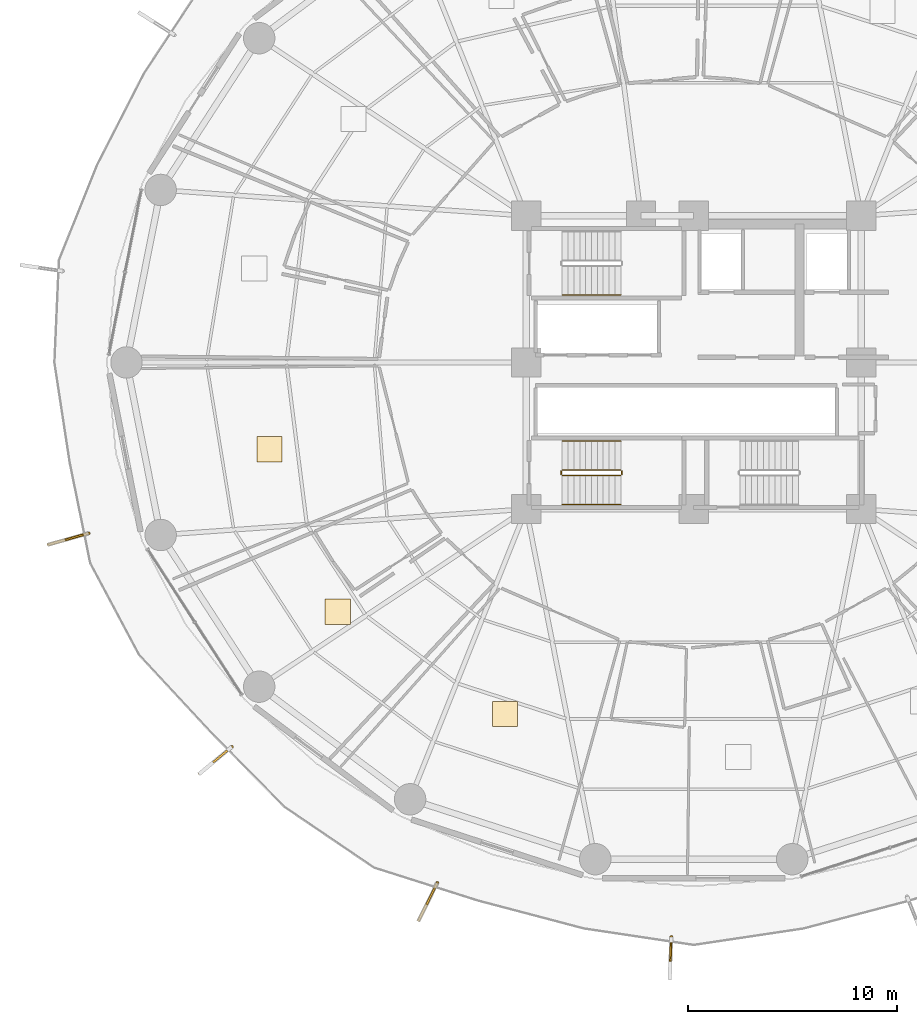
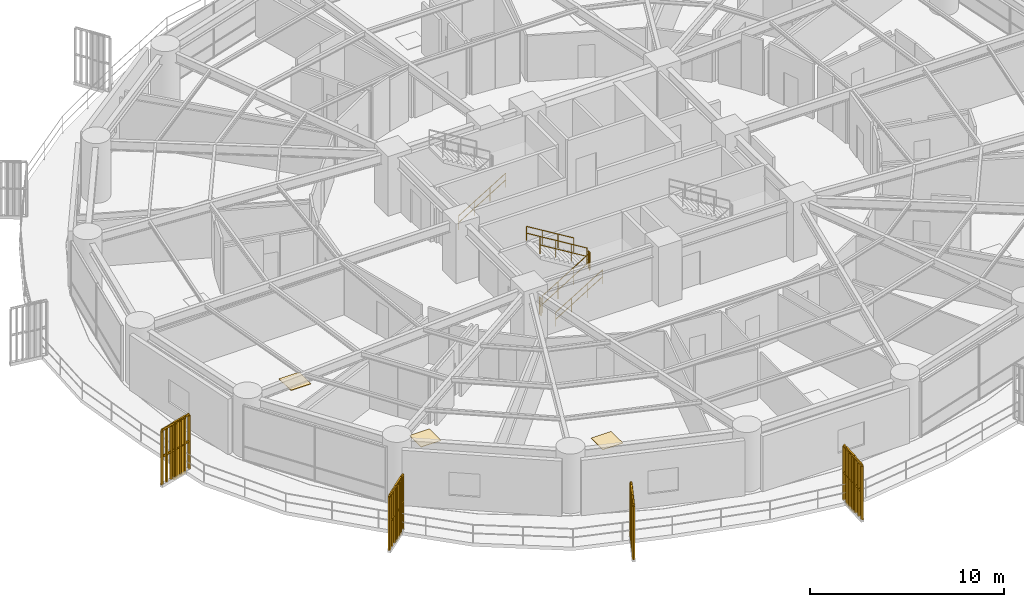
# One storey, part 30 of 33: 11 railings, 4 shading devices, 3 coverings.
"""IFC4 building model written with IfcOpenShell, lengths in metres."""

from ifc_helpers import new_model, si_unit, direction, frame, origin, origin_2d, place, context, subcontext, project, spatial, polyline, rectangle, outline, extrude, source, transform, mapped, material, layer, layer_set, type_object, element, save


model = new_model("IFC4")

# Units and contexts
model_context = context("Model", 3, precision=1e-05, world=origin(), true_north=direction((0.0, 1.0)))
body_context = subcontext(model_context, "Body", "Model", "MODEL_VIEW")
ifc_project = project(units=[si_unit("LENGTHUNIT", "METRE"), si_unit("AREAUNIT", "SQUARE_METRE"), si_unit("VOLUMEUNIT", "CUBIC_METRE"), si_unit("PLANEANGLEUNIT", "RADIAN"), si_unit("MASSUNIT", "GRAM", prefix="KILO")], contexts=[model_context])

# Site, building, storey
site_placement = place(None, origin())
site = spatial("IfcSite", under=ifc_project, at=site_placement, CompositionType="ELEMENT")
building_placement = place(site_placement, origin())
building = spatial("IfcBuilding", under=site, at=building_placement, Name="Kelanora Arch Commons", CompositionType="ELEMENT")
storey_placement = place(building_placement, frame((0.0, 0.0, 26.25)))
storey = spatial("IfcBuildingStorey", under=building, at=storey_placement, Name="L06", CompositionType="ELEMENT", Elevation=26.25)

# Railings
ifc_material_1 = material(Name="Anodised bronze vertical shading fin rib assembly")
railing_type_1 = type_object("IfcRailingType", Name="RAIL-FIN-BRZ", PredefinedType="BALUSTRADE", material=ifc_material_1)
railing_1_placement = place(storey_placement, frame((45.121337890625, 49.84716796875, -0.02001953125)))
element("IfcRailing", 1, at=railing_1_placement, inside=storey, type_object=railing_type_1, Name="Sweeping Bronze Vertical Fin Blade L06-08", PredefinedType="BALUSTRADE", context=body_context, shape_type="SweptSolid", body=[
    extrude(outline(polyline([(0.06982421875, 0.0), (0.034912109375, 0.060546875), (-0.034912109375, 0.060546875), (-0.06982421875, 0.0), (-0.034912109375, -0.060546875), (0.034912109375, -0.060546875), (0.06982421875, 0.0)])), frame((0.0, 0.0, 3.419921875), z_axis=(-0.96239301413, -0.271660976869, 0.0), x_axis=(0.271660976869, -0.96239301413, 0.0)), (0.0, 0.0, 1.0), 1.992431640625),
    extrude(outline(polyline([(0.06982421875, 0.0), (0.034912109375, 0.060546875), (-0.034912109375, 0.060546875), (-0.06982421875, 0.0), (-0.034912109375, -0.060546875), (0.034912109375, -0.060546875), (0.06982421875, 0.0)])), frame((0.0, 0.0, 1.7451171875), z_axis=(-0.96239301413, -0.271660976869, 0.0), x_axis=(0.271660976869, -0.96239301413, 0.0)), (0.0, 0.0, 1.0), 1.992431640625),
    extrude(outline(polyline([(0.080078125, 0.0), (0.0400390625, 0.0693359375), (-0.0400390625, 0.0693359375), (-0.080078125, 0.0), (-0.0400390625, -0.0693359375), (0.0400390625, -0.0693359375), (0.080078125, 0.0)])), origin(), (0.0, 0.0, 1.0), 3.35009765625),
    extrude(outline(polyline([(0.080078125, 0.0), (0.0400390625, 0.0693359375), (-0.0400390625, 0.0693359375), (-0.080078125, 0.0), (-0.0400390625, -0.0693359375), (0.0400390625, -0.0693359375), (0.080078125, 0.0)])), frame((-0.319580078125, -0.09033203125, 0.0)), (0.0, 0.0, 1.0), 3.35009765625),
    extrude(outline(polyline([(0.080078125, 0.0), (0.0400390625, 0.0693359375), (-0.0400390625, 0.0693359375), (-0.080078125, 0.0), (-0.0400390625, -0.0693359375), (0.0400390625, -0.0693359375), (0.080078125, 0.0)])), frame((-0.63916015625, -0.180419921875, 0.0)), (0.0, 0.0, 1.0), 3.35009765625),
    extrude(outline(polyline([(0.080078125, 0.0), (0.0400390625, 0.0693359375), (-0.0400390625, 0.0693359375), (-0.080078125, 0.0), (-0.0400390625, -0.0693359375), (0.0400390625, -0.0693359375), (0.080078125, 0.0)])), frame((-0.958740234375, -0.2705078125, 0.0)), (0.0, 0.0, 1.0), 3.35009765625),
    extrude(outline(polyline([(0.080078125, 0.0), (0.0400390625, 0.0693359375), (-0.0400390625, 0.0693359375), (-0.080078125, 0.0), (-0.0400390625, -0.0693359375), (0.0400390625, -0.0693359375), (0.080078125, 0.0)])), frame((-1.2783203125, -0.36083984375, 0.0)), (0.0, 0.0, 1.0), 3.35009765625),
    extrude(outline(polyline([(0.080078125, 0.0), (0.0400390625, 0.0693359375), (-0.0400390625, 0.0693359375), (-0.080078125, 0.0), (-0.0400390625, -0.0693359375), (0.0400390625, -0.0693359375), (0.080078125, 0.0)])), frame((-1.597900390625, -0.451171875, 0.0)), (0.0, 0.0, 1.0), 3.35009765625),
    extrude(outline(polyline([(0.080078125, 0.0), (0.0400390625, 0.0693359375), (-0.0400390625, 0.0693359375), (-0.080078125, 0.0), (-0.0400390625, -0.0693359375), (0.0400390625, -0.0693359375), (0.080078125, 0.0)])), frame((-1.91748046875, -0.541259765625, 0.0)), (0.0, 0.0, 1.0), 3.35009765625),
])
railing_2_placement = place(storey_placement, frame((51.9501953125, 39.651611328125, -0.02001953125)))
element("IfcRailing", 2, at=railing_2_placement, inside=storey, type_object=railing_type_1, Name="Sweeping Bronze Vertical Fin Blade L06-09", PredefinedType="BALUSTRADE", context=body_context, shape_type="SweptSolid", body=[
    extrude(outline(polyline([(0.06982421875, 0.0), (0.034912109375, 0.060546875), (-0.034912109375, 0.060546875), (-0.06982421875, 0.0), (-0.034912109375, -0.060546875), (0.034912109375, -0.060546875), (0.06982421875, 0.0)])), frame((0.0, 0.0, 3.419921875), z_axis=(-0.768673067971, -0.639641864309, 0.0), x_axis=(0.639641864309, -0.768673067971, 0.0)), (0.0, 0.0, 1.0), 1.992431640625),
    extrude(outline(polyline([(0.06982421875, 0.0), (0.034912109375, 0.060546875), (-0.034912109375, 0.060546875), (-0.06982421875, 0.0), (-0.034912109375, -0.060546875), (0.034912109375, -0.060546875), (0.06982421875, 0.0)])), frame((0.0, 0.0, 1.7451171875), z_axis=(-0.768673067971, -0.639641864309, 0.0), x_axis=(0.639641864309, -0.768673067971, 0.0)), (0.0, 0.0, 1.0), 1.992431640625),
    extrude(outline(polyline([(0.080078125, 0.0), (0.0400390625, 0.0693359375), (-0.0400390625, 0.0693359375), (-0.080078125, 0.0), (-0.0400390625, -0.0693359375), (0.0400390625, -0.0693359375), (0.080078125, 0.0)])), origin(), (0.0, 0.0, 1.0), 3.35009765625),
    extrude(outline(polyline([(0.080078125, 0.0), (0.0400390625, 0.0693359375), (-0.0400390625, 0.0693359375), (-0.080078125, 0.0), (-0.0400390625, -0.0693359375), (0.0400390625, -0.0693359375), (0.080078125, 0.0)])), frame((-0.25537109375, -0.21240234375, 0.0)), (0.0, 0.0, 1.0), 3.35009765625),
    extrude(outline(polyline([(0.080078125, 0.0), (0.0400390625, 0.0693359375), (-0.0400390625, 0.0693359375), (-0.080078125, 0.0), (-0.0400390625, -0.0693359375), (0.0400390625, -0.0693359375), (0.080078125, 0.0)])), frame((-0.510498046875, -0.4248046875, 0.0)), (0.0, 0.0, 1.0), 3.35009765625),
    extrude(outline(polyline([(0.080078125, 0.0), (0.0400390625, 0.0693359375), (-0.0400390625, 0.0693359375), (-0.080078125, 0.0), (-0.0400390625, -0.0693359375), (0.0400390625, -0.0693359375), (0.080078125, 0.0)])), frame((-0.765625, -0.63720703125, 0.0)), (0.0, 0.0, 1.0), 3.35009765625),
    extrude(outline(polyline([(0.080078125, 0.0), (0.0400390625, 0.0693359375), (-0.0400390625, 0.0693359375), (-0.080078125, 0.0), (-0.0400390625, -0.0693359375), (0.0400390625, -0.0693359375), (0.080078125, 0.0)])), frame((-1.02099609375, -0.849609375, 0.0)), (0.0, 0.0, 1.0), 3.35009765625),
    extrude(outline(polyline([(0.080078125, 0.0), (0.0400390625, 0.0693359375), (-0.0400390625, 0.0693359375), (-0.080078125, 0.0), (-0.0400390625, -0.0693359375), (0.0400390625, -0.0693359375), (0.080078125, 0.0)])), frame((-1.2763671875, -1.06201171875, 0.0)), (0.0, 0.0, 1.0), 3.35009765625),
    extrude(outline(polyline([(0.080078125, 0.0), (0.0400390625, 0.0693359375), (-0.0400390625, 0.0693359375), (-0.080078125, 0.0), (-0.0400390625, -0.0693359375), (0.0400390625, -0.0693359375), (0.080078125, 0.0)])), frame((-1.531494140625, -1.2744140625, 0.0)), (0.0, 0.0, 1.0), 3.35009765625),
])
railing_3_placement = place(storey_placement, frame((61.75830078125, 33.159912109375, -0.02001953125)))
element("IfcRailing", 3, at=railing_3_placement, inside=storey, type_object=railing_type_1, Name="Sweeping Bronze Vertical Fin Blade L06-10", PredefinedType="BALUSTRADE", context=body_context, shape_type="SweptSolid", body=[
    extrude(outline(polyline([(0.06982421875, 0.0), (0.034912109375, 0.060546875), (-0.034912109375, 0.060546875), (-0.06982421875, 0.0), (-0.034912109375, -0.060546875), (0.034912109375, -0.060546875), (0.06982421875, 0.0)])), frame((0.0, 0.0, 3.419921875), z_axis=(-0.442060259589, -0.896985354893, 0.0), x_axis=(0.896985354893, -0.442060259589, 0.0)), (0.0, 0.0, 1.0), 1.99267578125),
    extrude(outline(polyline([(0.06982421875, 0.0), (0.034912109375, 0.060546875), (-0.034912109375, 0.060546875), (-0.06982421875, 0.0), (-0.034912109375, -0.060546875), (0.034912109375, -0.060546875), (0.06982421875, 0.0)])), frame((0.0, 0.0, 1.7451171875), z_axis=(-0.442060259589, -0.896985354893, 0.0), x_axis=(0.896985354893, -0.442060259589, 0.0)), (0.0, 0.0, 1.0), 1.99267578125),
    extrude(outline(polyline([(0.080078125, 0.0), (0.0400390625, 0.0693359375), (-0.0400390625, 0.0693359375), (-0.080078125, 0.0), (-0.0400390625, -0.0693359375), (0.0400390625, -0.0693359375), (0.080078125, 0.0)])), origin(), (0.0, 0.0, 1.0), 3.35009765625),
    extrude(outline(polyline([(0.080078125, 0.0), (0.0400390625, 0.0693359375), (-0.0400390625, 0.0693359375), (-0.080078125, 0.0), (-0.0400390625, -0.0693359375), (0.0400390625, -0.0693359375), (0.080078125, 0.0)])), frame((-0.146728515625, -0.2978515625, 0.0)), (0.0, 0.0, 1.0), 3.35009765625),
    extrude(outline(polyline([(0.080078125, 0.0), (0.0400390625, 0.0693359375), (-0.0400390625, 0.0693359375), (-0.080078125, 0.0), (-0.0400390625, -0.0693359375), (0.0400390625, -0.0693359375), (0.080078125, 0.0)])), frame((-0.293701171875, -0.595703125, 0.0)), (0.0, 0.0, 1.0), 3.35009765625),
    extrude(outline(polyline([(0.080078125, 0.0), (0.0400390625, 0.0693359375), (-0.0400390625, 0.0693359375), (-0.080078125, 0.0), (-0.0400390625, -0.0693359375), (0.0400390625, -0.0693359375), (0.080078125, 0.0)])), frame((-0.4404296875, -0.8935546875, 0.0)), (0.0, 0.0, 1.0), 3.35009765625),
    extrude(outline(polyline([(0.080078125, 0.0), (0.0400390625, 0.0693359375), (-0.0400390625, 0.0693359375), (-0.080078125, 0.0), (-0.0400390625, -0.0693359375), (0.0400390625, -0.0693359375), (0.080078125, 0.0)])), frame((-0.587158203125, -1.191650390625, 0.0)), (0.0, 0.0, 1.0), 3.35009765625),
    extrude(outline(polyline([(0.080078125, 0.0), (0.0400390625, 0.0693359375), (-0.0400390625, 0.0693359375), (-0.080078125, 0.0), (-0.0400390625, -0.0693359375), (0.0400390625, -0.0693359375), (0.080078125, 0.0)])), frame((-0.734130859375, -1.489501953125, 0.0)), (0.0, 0.0, 1.0), 3.35009765625),
    extrude(outline(polyline([(0.080078125, 0.0), (0.0400390625, 0.0693359375), (-0.0400390625, 0.0693359375), (-0.080078125, 0.0), (-0.0400390625, -0.0693359375), (0.0400390625, -0.0693359375), (0.080078125, 0.0)])), frame((-0.880859375, -1.787353515625, 0.0)), (0.0, 0.0, 1.0), 3.35009765625),
])
railing_4_placement = place(storey_placement, frame((72.9296875, 30.5791015625, -0.02001953125)))
element("IfcRailing", 4, at=railing_4_placement, inside=storey, type_object=railing_type_1, Name="Sweeping Bronze Vertical Fin Blade L06-11", PredefinedType="BALUSTRADE", context=body_context, shape_type="SweptSolid", body=[
    extrude(outline(polyline([(0.06982421875, 0.0), (0.034912109375, 0.060546875), (-0.034912109375, 0.060546875), (-0.06982421875, 0.0), (-0.034912109375, -0.060546875), (0.034912109375, -0.060546875), (0.06982421875, 0.0)])), frame((0.0, 0.0, 3.419921875), z_axis=(-0.038964868768, -0.999240581142, 0.0), x_axis=(0.999240581142, -0.038964868768, 0.0)), (0.0, 0.0, 1.0), 1.992431640625),
    extrude(outline(polyline([(0.06982421875, 0.0), (0.034912109375, 0.060546875), (-0.034912109375, 0.060546875), (-0.06982421875, 0.0), (-0.034912109375, -0.060546875), (0.034912109375, -0.060546875), (0.06982421875, 0.0)])), frame((0.0, 0.0, 1.7451171875), z_axis=(-0.038964868768, -0.999240581142, 0.0), x_axis=(0.999240581142, -0.038964868768, 0.0)), (0.0, 0.0, 1.0), 1.992431640625),
    extrude(outline(polyline([(0.080078125, 0.0), (0.0400390625, 0.0693359375), (-0.0400390625, 0.0693359375), (-0.080078125, 0.0), (-0.0400390625, -0.0693359375), (0.0400390625, -0.0693359375), (0.080078125, 0.0)])), origin(), (0.0, 0.0, 1.0), 3.35009765625),
    extrude(outline(polyline([(0.080078125, 0.0), (0.0400390625, 0.0693359375), (-0.0400390625, 0.0693359375), (-0.080078125, 0.0), (-0.0400390625, -0.0693359375), (0.0400390625, -0.0693359375), (0.080078125, 0.0)])), frame((-0.012939453125, -0.331787109375, 0.0)), (0.0, 0.0, 1.0), 3.35009765625),
    extrude(outline(polyline([(0.080078125, 0.0), (0.0400390625, 0.0693359375), (-0.0400390625, 0.0693359375), (-0.080078125, 0.0), (-0.0400390625, -0.0693359375), (0.0400390625, -0.0693359375), (0.080078125, 0.0)])), frame((-0.02587890625, -0.66357421875, 0.0)), (0.0, 0.0, 1.0), 3.35009765625),
    extrude(outline(polyline([(0.080078125, 0.0), (0.0400390625, 0.0693359375), (-0.0400390625, 0.0693359375), (-0.080078125, 0.0), (-0.0400390625, -0.0693359375), (0.0400390625, -0.0693359375), (0.080078125, 0.0)])), frame((-0.038818359375, -0.99560546875, 0.0)), (0.0, 0.0, 1.0), 3.35009765625),
    extrude(outline(polyline([(0.080078125, 0.0), (0.0400390625, 0.0693359375), (-0.0400390625, 0.0693359375), (-0.080078125, 0.0), (-0.0400390625, -0.0693359375), (0.0400390625, -0.0693359375), (0.080078125, 0.0)])), frame((-0.0517578125, -1.327392578125, 0.0)), (0.0, 0.0, 1.0), 3.35009765625),
    extrude(outline(polyline([(0.080078125, 0.0), (0.0400390625, 0.0693359375), (-0.0400390625, 0.0693359375), (-0.080078125, 0.0), (-0.0400390625, -0.0693359375), (0.0400390625, -0.0693359375), (0.080078125, 0.0)])), frame((-0.064697265625, -1.6591796875, 0.0)), (0.0, 0.0, 1.0), 3.35009765625),
    extrude(outline(polyline([(0.080078125, 0.0), (0.0400390625, 0.0693359375), (-0.0400390625, 0.0693359375), (-0.080078125, 0.0), (-0.0400390625, -0.0693359375), (0.0400390625, -0.0693359375), (0.080078125, 0.0)])), frame((-0.07763671875, -1.990966796875, 0.0)), (0.0, 0.0, 1.0), 3.35009765625),
])
ifc_material_2 = material(Name="Painted steel stair well guard", Category="steel")
railing_type_2 = type_object("IfcRailingType", Name="RAIL-STAIR-GRD", PredefinedType="GUARDRAIL", material=ifc_material_2)
railing_5_placement = place(storey_placement, frame((67.719970703125, 52.610107421875, 0.17041015625)))
element("IfcRailing", 5, at=railing_5_placement, inside=storey, type_object=railing_type_2, Name="L06 ST-T3 stair guard 1", PredefinedType="GUARDRAIL", context=body_context, shape_type="SweptSolid", body=[
    extrude(outline(polyline([(0.02392578125, 0.0), (0.011962890625, 0.020751953125), (-0.011962890625, 0.020751953125), (-0.02392578125, 0.0), (-0.011962890625, -0.020751953125), (0.011962890625, -0.020751953125), (0.02392578125, 0.0)])), frame((0.0, 0.0, 1.076171875), z_axis=(0.854169791009, 0.0, 0.51999420009), x_axis=(0.0, 1.0, 0.0)), (0.0, 0.0, 1.0), 3.278076171875),
    extrude(outline(polyline([(0.02392578125, 0.0), (0.011962890625, 0.020751953125), (-0.011962890625, 0.020751953125), (-0.02392578125, 0.0), (-0.011962890625, -0.020751953125), (0.011962890625, -0.020751953125), (0.02392578125, 0.0)])), frame((0.0, 0.0, 0.550048828125), z_axis=(0.854169791009, 0.0, 0.51999420009), x_axis=(0.0, 1.0, 0.0)), (0.0, 0.0, 1.0), 3.278076171875),
    extrude(outline(polyline([(0.02099609375, 0.0), (0.010498046875, 0.01806640625), (-0.010498046875, 0.01806640625), (-0.02099609375, 0.0), (-0.010498046875, -0.01806640625), (0.010498046875, -0.01806640625), (0.02099609375, 0.0)])), origin(), (0.0, 0.0, 1.0), 1.052001953125),
    extrude(outline(polyline([(0.02099609375, 0.0), (0.010498046875, 0.01806640625), (-0.010498046875, 0.01806640625), (-0.02099609375, 0.0), (-0.010498046875, -0.01806640625), (0.010498046875, -0.01806640625), (0.02099609375, 0.0)])), frame((0.933349609375, 0.0, 0.568115234375)), (0.0, 0.0, 1.0), 1.052001953125),
    extrude(outline(polyline([(0.02099609375, 0.0), (0.010498046875, 0.01806640625), (-0.010498046875, 0.01806640625), (-0.02099609375, 0.0), (-0.010498046875, -0.01806640625), (0.010498046875, -0.01806640625), (0.02099609375, 0.0)])), frame((1.86669921875, 0.0, 1.136474609375)), (0.0, 0.0, 1.0), 1.052001953125),
    extrude(outline(polyline([(0.02099609375, 0.0), (0.010498046875, 0.01806640625), (-0.010498046875, 0.01806640625), (-0.02099609375, 0.0), (-0.010498046875, -0.01806640625), (0.010498046875, -0.01806640625), (0.02099609375, 0.0)])), frame((2.800048828125, 0.0, 1.70458984375)), (0.0, 0.0, 1.0), 1.052001953125),
])
railing_6_placement = place(storey_placement, frame((70.570068359375, 52.659912109375, 1.875)))
element("IfcRailing", 6, at=railing_6_placement, inside=storey, type_object=railing_type_2, Name="L06 ST-T3 stair guard 2", PredefinedType="GUARDRAIL", context=body_context, shape_type="SweptSolid", body=[
    extrude(outline(polyline([(0.02392578125, 0.0), (0.011962890625, 0.020751953125), (-0.011962890625, 0.020751953125), (-0.02392578125, 0.0), (-0.011962890625, -0.020751953125), (0.011962890625, -0.020751953125), (0.02392578125, 0.0)])), frame((0.0, 0.0, 1.076171875), z_axis=(0.0, 1.0, 0.0), x_axis=(-1.0, 0.0, 0.0)), (0.0, 0.0, 1.0), 0.150146484375),
    extrude(outline(polyline([(0.02392578125, 0.0), (0.011962890625, 0.020751953125), (-0.011962890625, 0.020751953125), (-0.02392578125, 0.0), (-0.011962890625, -0.020751953125), (0.011962890625, -0.020751953125), (0.02392578125, 0.0)])), frame((0.0, 0.0, 0.550048828125), z_axis=(0.0, 1.0, 0.0), x_axis=(-1.0, 0.0, 0.0)), (0.0, 0.0, 1.0), 0.150146484375),
    extrude(outline(polyline([(0.02099609375, 0.0), (0.010498046875, 0.01806640625), (-0.010498046875, 0.01806640625), (-0.02099609375, 0.0), (-0.010498046875, -0.01806640625), (0.010498046875, -0.01806640625), (0.02099609375, 0.0)])), origin(), (0.0, 0.0, 1.0), 1.052001953125),
    extrude(outline(polyline([(0.02099609375, 0.0), (0.010498046875, 0.01806640625), (-0.010498046875, 0.01806640625), (-0.02099609375, 0.0), (-0.010498046875, -0.01806640625), (0.010498046875, -0.01806640625), (0.02099609375, 0.0)])), frame((0.0, 0.150146484375, 0.0)), (0.0, 0.0, 1.0), 1.052001953125),
])
railing_7_placement = place(storey_placement, frame((70.52001953125, 52.860107421875, 2.04541015625)))
element("IfcRailing", 7, at=railing_7_placement, inside=storey, type_object=railing_type_2, Name="L06 ST-T3 stair guard 3", PredefinedType="GUARDRAIL", context=body_context, shape_type="SweptSolid", body=[
    extrude(outline(polyline([(0.02392578125, 0.0), (0.011962890625, 0.020751953125), (-0.011962890625, 0.020751953125), (-0.02392578125, 0.0), (-0.011962890625, -0.020751953125), (0.011962890625, -0.020751953125), (0.02392578125, 0.0)])), frame((0.0, 0.0, 1.076171875), z_axis=(-0.854169791009, 0.0, 0.51999420009), x_axis=(0.0, -1.0, 0.0)), (0.0, 0.0, 1.0), 3.278076171875),
    extrude(outline(polyline([(0.02392578125, 0.0), (0.011962890625, 0.020751953125), (-0.011962890625, 0.020751953125), (-0.02392578125, 0.0), (-0.011962890625, -0.020751953125), (0.011962890625, -0.020751953125), (0.02392578125, 0.0)])), frame((0.0, 0.0, 0.550048828125), z_axis=(-0.854169791009, 0.0, 0.51999420009), x_axis=(0.0, -1.0, 0.0)), (0.0, 0.0, 1.0), 3.278076171875),
    extrude(outline(polyline([(0.02099609375, 0.0), (0.010498046875, 0.01806640625), (-0.010498046875, 0.01806640625), (-0.02099609375, 0.0), (-0.010498046875, -0.01806640625), (0.010498046875, -0.01806640625), (0.02099609375, 0.0)])), origin(), (0.0, 0.0, 1.0), 1.052001953125),
    extrude(outline(polyline([(0.02099609375, 0.0), (0.010498046875, 0.01806640625), (-0.010498046875, 0.01806640625), (-0.02099609375, 0.0), (-0.010498046875, -0.01806640625), (0.010498046875, -0.01806640625), (0.02099609375, 0.0)])), frame((-0.933349609375, 0.0, 0.568115234375)), (0.0, 0.0, 1.0), 1.052001953125),
    extrude(outline(polyline([(0.02099609375, 0.0), (0.010498046875, 0.01806640625), (-0.010498046875, 0.01806640625), (-0.02099609375, 0.0), (-0.010498046875, -0.01806640625), (0.010498046875, -0.01806640625), (0.02099609375, 0.0)])), frame((-1.86669921875, 0.0, 1.136474609375)), (0.0, 0.0, 1.0), 1.052001953125),
    extrude(outline(polyline([(0.02099609375, 0.0), (0.010498046875, 0.01806640625), (-0.010498046875, 0.01806640625), (-0.02099609375, 0.0), (-0.010498046875, -0.01806640625), (0.010498046875, -0.01806640625), (0.02099609375, 0.0)])), frame((-2.800048828125, 0.0, 1.70458984375)), (0.0, 0.0, 1.0), 1.052001953125),
])
railing_8_placement = place(storey_placement, frame((67.669921875, 52.659912109375, 0.0)))
element("IfcRailing", 8, at=railing_8_placement, inside=storey, type_object=railing_type_2, Name="L06 ST-T3 stair guard 4", PredefinedType="GUARDRAIL", context=body_context, shape_type="SweptSolid", body=[
    extrude(outline(polyline([(0.02392578125, 0.0), (0.011962890625, 0.020751953125), (-0.011962890625, 0.020751953125), (-0.02392578125, 0.0), (-0.011962890625, -0.020751953125), (0.011962890625, -0.020751953125), (0.02392578125, 0.0)])), frame((0.0, 0.0, 1.076171875), z_axis=(0.0, 1.0, 0.0), x_axis=(-1.0, 0.0, 0.0)), (0.0, 0.0, 1.0), 0.150146484375),
    extrude(outline(polyline([(0.02392578125, 0.0), (0.011962890625, 0.020751953125), (-0.011962890625, 0.020751953125), (-0.02392578125, 0.0), (-0.011962890625, -0.020751953125), (0.011962890625, -0.020751953125), (0.02392578125, 0.0)])), frame((0.0, 0.0, 0.550048828125), z_axis=(0.0, 1.0, 0.0), x_axis=(-1.0, 0.0, 0.0)), (0.0, 0.0, 1.0), 0.150146484375),
    extrude(outline(polyline([(0.02099609375, 0.0), (0.010498046875, 0.01806640625), (-0.010498046875, 0.01806640625), (-0.02099609375, 0.0), (-0.010498046875, -0.01806640625), (0.010498046875, -0.01806640625), (0.02099609375, 0.0)])), origin(), (0.0, 0.0, 1.0), 1.052001953125),
    extrude(outline(polyline([(0.02099609375, 0.0), (0.010498046875, 0.01806640625), (-0.010498046875, 0.01806640625), (-0.02099609375, 0.0), (-0.010498046875, -0.01806640625), (0.010498046875, -0.01806640625), (0.02099609375, 0.0)])), frame((0.0, 0.150146484375, 0.0)), (0.0, 0.0, 1.0), 1.052001953125),
])
ifc_material_3 = material(Name="Brushed stainless steel stair handrail", Category="steel")
railing_type_3 = type_object("IfcRailingType", Name="RAIL-STAIR-HND", PredefinedType="HANDRAIL", material=ifc_material_3)
railing_9_placement = place(storey_placement, frame((67.719970703125, 61.22998046875, 0.17041015625)))
element("IfcRailing", 9, at=railing_9_placement, inside=storey, type_object=railing_type_3, Name="L06 ST-T1 stair handrail 1", PredefinedType="HANDRAIL", context=body_context, shape_type="SweptSolid", body=[
    extrude(outline(polyline([(0.02392578125, 0.0), (0.011962890625, 0.020751953125), (-0.011962890625, 0.020751953125), (-0.02392578125, 0.0), (-0.011962890625, -0.020751953125), (0.011962890625, -0.020751953125), (0.02392578125, 0.0)])), frame((0.0, 0.0, 0.8759765625), z_axis=(0.854169791009, 0.0, 0.51999420009), x_axis=(0.0, 1.0, 0.0)), (0.0, 0.0, 1.0), 3.278076171875),
    extrude(outline(polyline([(0.02392578125, 0.0), (0.011962890625, 0.020751953125), (-0.011962890625, 0.020751953125), (-0.02392578125, 0.0), (-0.011962890625, -0.020751953125), (0.011962890625, -0.020751953125), (0.02392578125, 0.0)])), frame((0.0, 0.0, 0.449951171875), z_axis=(0.854169791009, 0.0, 0.51999420009), x_axis=(0.0, 1.0, 0.0)), (0.0, 0.0, 1.0), 3.278076171875),
    extrude(outline(polyline([(0.02099609375, 0.0), (0.010498046875, 0.01806640625), (-0.010498046875, 0.01806640625), (-0.02099609375, 0.0), (-0.010498046875, -0.01806640625), (0.010498046875, -0.01806640625), (0.02099609375, 0.0)])), origin(), (0.0, 0.0, 1.0), 0.851806640625),
    extrude(outline(polyline([(0.02099609375, 0.0), (0.010498046875, 0.01806640625), (-0.010498046875, 0.01806640625), (-0.02099609375, 0.0), (-0.010498046875, -0.01806640625), (0.010498046875, -0.01806640625), (0.02099609375, 0.0)])), frame((0.933349609375, 0.0, 0.568115234375)), (0.0, 0.0, 1.0), 0.851806640625),
    extrude(outline(polyline([(0.02099609375, 0.0), (0.010498046875, 0.01806640625), (-0.010498046875, 0.01806640625), (-0.02099609375, 0.0), (-0.010498046875, -0.01806640625), (0.010498046875, -0.01806640625), (0.02099609375, 0.0)])), frame((1.86669921875, 0.0, 1.136474609375)), (0.0, 0.0, 1.0), 0.851806640625),
    extrude(outline(polyline([(0.02099609375, 0.0), (0.010498046875, 0.01806640625), (-0.010498046875, 0.01806640625), (-0.02099609375, 0.0), (-0.010498046875, -0.01806640625), (0.010498046875, -0.01806640625), (0.02099609375, 0.0)])), frame((2.800048828125, 0.0, 1.70458984375)), (0.0, 0.0, 1.0), 0.851806640625),
])
railing_10_placement = place(storey_placement, frame((67.719970703125, 51.22998046875, 0.17041015625)))
element("IfcRailing", 10, at=railing_10_placement, inside=storey, type_object=railing_type_3, Name="L06 ST-T3 stair handrail 1", PredefinedType="HANDRAIL", context=body_context, shape_type="SweptSolid", body=[
    extrude(outline(polyline([(0.02392578125, 0.0), (0.011962890625, 0.020751953125), (-0.011962890625, 0.020751953125), (-0.02392578125, 0.0), (-0.011962890625, -0.020751953125), (0.011962890625, -0.020751953125), (0.02392578125, 0.0)])), frame((0.0, 0.0, 0.8759765625), z_axis=(0.854169791009, 0.0, 0.51999420009), x_axis=(0.0, 1.0, 0.0)), (0.0, 0.0, 1.0), 3.278076171875),
    extrude(outline(polyline([(0.02392578125, 0.0), (0.011962890625, 0.020751953125), (-0.011962890625, 0.020751953125), (-0.02392578125, 0.0), (-0.011962890625, -0.020751953125), (0.011962890625, -0.020751953125), (0.02392578125, 0.0)])), frame((0.0, 0.0, 0.449951171875), z_axis=(0.854169791009, 0.0, 0.51999420009), x_axis=(0.0, 1.0, 0.0)), (0.0, 0.0, 1.0), 3.278076171875),
    extrude(outline(polyline([(0.02099609375, 0.0), (0.010498046875, 0.01806640625), (-0.010498046875, 0.01806640625), (-0.02099609375, 0.0), (-0.010498046875, -0.01806640625), (0.010498046875, -0.01806640625), (0.02099609375, 0.0)])), origin(), (0.0, 0.0, 1.0), 0.851806640625),
    extrude(outline(polyline([(0.02099609375, 0.0), (0.010498046875, 0.01806640625), (-0.010498046875, 0.01806640625), (-0.02099609375, 0.0), (-0.010498046875, -0.01806640625), (0.010498046875, -0.01806640625), (0.02099609375, 0.0)])), frame((0.933349609375, 0.0, 0.568115234375)), (0.0, 0.0, 1.0), 0.851806640625),
    extrude(outline(polyline([(0.02099609375, 0.0), (0.010498046875, 0.01806640625), (-0.010498046875, 0.01806640625), (-0.02099609375, 0.0), (-0.010498046875, -0.01806640625), (0.010498046875, -0.01806640625), (0.02099609375, 0.0)])), frame((1.86669921875, 0.0, 1.136474609375)), (0.0, 0.0, 1.0), 0.851806640625),
    extrude(outline(polyline([(0.02099609375, 0.0), (0.010498046875, 0.01806640625), (-0.010498046875, 0.01806640625), (-0.02099609375, 0.0), (-0.010498046875, -0.01806640625), (0.010498046875, -0.01806640625), (0.02099609375, 0.0)])), frame((2.800048828125, 0.0, 1.70458984375)), (0.0, 0.0, 1.0), 0.851806640625),
])
railing_11_placement = place(storey_placement, frame((70.52001953125, 54.239990234375, 2.04541015625)))
element("IfcRailing", 11, at=railing_11_placement, inside=storey, type_object=railing_type_3, Name="L06 ST-T3 stair handrail 2", PredefinedType="HANDRAIL", context=body_context, shape_type="SweptSolid", body=[
    extrude(outline(polyline([(0.02392578125, 0.0), (0.011962890625, 0.020751953125), (-0.011962890625, 0.020751953125), (-0.02392578125, 0.0), (-0.011962890625, -0.020751953125), (0.011962890625, -0.020751953125), (0.02392578125, 0.0)])), frame((0.0, 0.0, 0.8759765625), z_axis=(-0.854169791009, 0.0, 0.51999420009), x_axis=(0.0, -1.0, 0.0)), (0.0, 0.0, 1.0), 3.278076171875),
    extrude(outline(polyline([(0.02392578125, 0.0), (0.011962890625, 0.020751953125), (-0.011962890625, 0.020751953125), (-0.02392578125, 0.0), (-0.011962890625, -0.020751953125), (0.011962890625, -0.020751953125), (0.02392578125, 0.0)])), frame((0.0, 0.0, 0.449951171875), z_axis=(-0.854169791009, 0.0, 0.51999420009), x_axis=(0.0, -1.0, 0.0)), (0.0, 0.0, 1.0), 3.278076171875),
    extrude(outline(polyline([(0.02099609375, 0.0), (0.010498046875, 0.01806640625), (-0.010498046875, 0.01806640625), (-0.02099609375, 0.0), (-0.010498046875, -0.01806640625), (0.010498046875, -0.01806640625), (0.02099609375, 0.0)])), origin(), (0.0, 0.0, 1.0), 0.851806640625),
    extrude(outline(polyline([(0.02099609375, 0.0), (0.010498046875, 0.01806640625), (-0.010498046875, 0.01806640625), (-0.02099609375, 0.0), (-0.010498046875, -0.01806640625), (0.010498046875, -0.01806640625), (0.02099609375, 0.0)])), frame((-0.933349609375, 0.0, 0.568115234375)), (0.0, 0.0, 1.0), 0.851806640625),
    extrude(outline(polyline([(0.02099609375, 0.0), (0.010498046875, 0.01806640625), (-0.010498046875, 0.01806640625), (-0.02099609375, 0.0), (-0.010498046875, -0.01806640625), (0.010498046875, -0.01806640625), (0.02099609375, 0.0)])), frame((-1.86669921875, 0.0, 1.136474609375)), (0.0, 0.0, 1.0), 0.851806640625),
    extrude(outline(polyline([(0.02099609375, 0.0), (0.010498046875, 0.01806640625), (-0.010498046875, 0.01806640625), (-0.02099609375, 0.0), (-0.010498046875, -0.01806640625), (0.010498046875, -0.01806640625), (0.02099609375, 0.0)])), frame((-2.800048828125, 0.0, 1.70458984375)), (0.0, 0.0, 1.0), 0.851806640625),
])

# Shading devices
ifc_material_4 = material(Name="Terracotta ceramic-clad extruded aluminium fin", Category="masonry")
shading_device_type = type_object("IfcShadingDeviceType", Name="SHD-FIN-FLARE", PredefinedType="USERDEFINED", material=ifc_material_4)
shared_shape_1 = source(origin(), body_context, "Body", "SweptSolid", [
    extrude(rectangle(XDim=0.8798828125, YDim=0.090087890625, at=origin_2d()), origin(), (0.0, 0.0, 1.0), 3.610107421875),
])
for number, where, z_axis, x_axis, name in (
    (12, (44.428466796875, 49.651611328125, -0.14013671875), (0.0, 0.0, 1.0), (-0.962407846499, -0.271608425858, 0.0), "Sweeping Terracotta Fin L06-08"),
    (13, (51.396728515625, 39.191162109375, -0.14013671875), (0.0, 0.0, 1.0), (-0.768730217204, -0.639573180455, 0.0), "Sweeping Terracotta Fin L06-09"),
    (14, (61.43994140625, 32.513916015625, -0.14013671875), (0.0, 0.0, 1.0), (-0.44213214966, -0.896949921811, 0.0), "Sweeping Terracotta Fin L06-10"),
    (15, (72.901611328125, 29.859619140625, -0.14013671875), (0.0, 0.0, 1.0), (-0.039085416795, -0.999235873152, 0.0), "Sweeping Terracotta Fin L06-11"),
):
    element("IfcShadingDevice", number, at=place(storey_placement, frame(where, z_axis=z_axis, x_axis=x_axis)), inside=storey, type_object=shading_device_type, Name=name, ObjectType="FIN", PredefinedType="USERDEFINED", context=body_context, shape_type="MappedRepresentation", body=[
        mapped(shared_shape_1, transform((0.0, 0.0, 0.0), scale=1.0)),
    ])

# Coverings
ifc_material_5 = material(Name="Polished local granite terrazzo flooring", Category="masonry")
ifc_layer = layer(ifc_material_5, 0.030029296875)
ifc_layer_set = layer_set([ifc_layer], Name="Polished local granite terrazzo flooring")
covering_type = type_object("IfcCoveringType", Name="COV-FLR-TER", PredefinedType="FLOORING", material=ifc_layer_set)
shared_shape_2 = source(origin(), body_context, "Body", "SweptSolid", [
    extrude(rectangle(XDim=1.199951171875, YDim=1.199951171875, at=origin_2d()), origin(), (0.0, 0.0, 1.0), 0.030029296875),
])
for number, where, z_axis, x_axis, name in (
    (16, (53.742919921875, 53.85498046875, 0.0), (0.0, 0.0, 1.0), (1.0, 0.0, 0.0), "Social Sky Lounge L06-08 Terrazzo Finish"),
    (17, (57.004150390625, 46.097412109375, 0.0), (0.0, 0.0, 1.0), (1.0, 0.0, 0.0), "Co-Living Studio L06-09 Terrazzo Finish"),
    (18, (64.984619140625, 41.21728515625, 0.0), (0.0, 0.0, 1.0), (1.0, 0.0, 0.0), "Quiet Seminar Study Room L06-10 Terrazzo Finish"),
):
    element("IfcCovering", number, at=place(storey_placement, frame(where, z_axis=z_axis, x_axis=x_axis)), inside=storey, type_object=covering_type, Name=name, PredefinedType="FLOORING", context=body_context, shape_type="MappedRepresentation", body=[
        mapped(shared_shape_2, transform((0.0, 0.0, 0.0), scale=1.0)),
    ])

save(model, "model.ifc")
